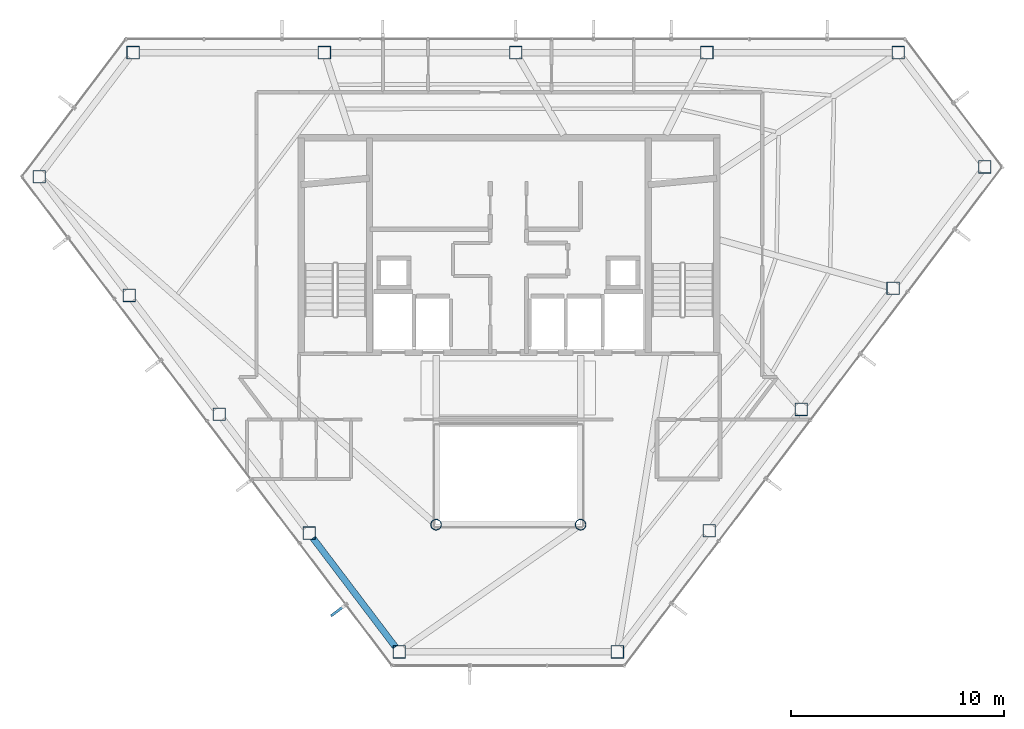
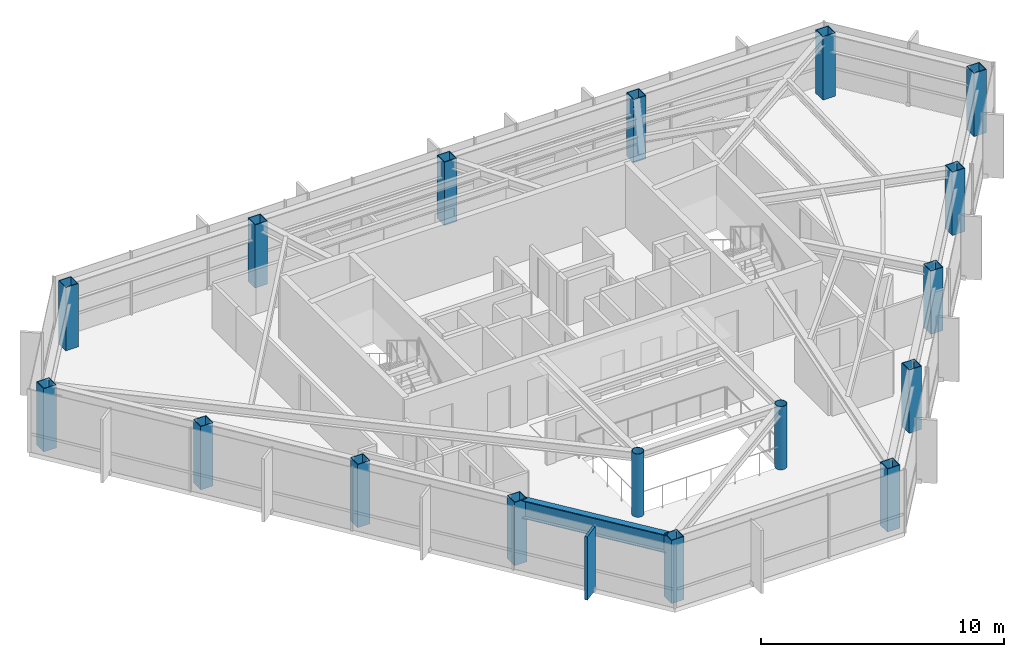
# One storey, part 1 of 25: 17 columns, 1 beam, 1 member, 1 element without a shape of its own.
"""IFC4 building model written with IfcOpenShell, lengths in metres."""

from ifc_helpers import new_model, si_unit, direction, frame, origin, origin_2d, place, context, subcontext, project, spatial, rectangle, hollow_rectangle, hollow_circle, i_section, extrude, material, layer, layer_set, material_profile, profile_set, type_object, element, aggregate, save


model = new_model("IFC4")

# Units and contexts
model_context = context("Model", 3, precision=1e-05, world=origin(), true_north=direction((0.0, 1.0)))
body_context = subcontext(model_context, "Body", "Model", "MODEL_VIEW")
ifc_project = project(units=[si_unit("LENGTHUNIT", "METRE"), si_unit("AREAUNIT", "SQUARE_METRE"), si_unit("VOLUMEUNIT", "CUBIC_METRE"), si_unit("PLANEANGLEUNIT", "RADIAN"), si_unit("MASSUNIT", "GRAM", prefix="KILO")], contexts=[model_context])

# Site, building, storey
site_placement = place(None, origin())
site = spatial("IfcSite", under=ifc_project, at=site_placement, CompositionType="ELEMENT")
building_placement = place(site_placement, origin())
building = spatial("IfcBuilding", under=site, at=building_placement, Name="Zarrinselat Tower", CompositionType="ELEMENT")
storey_placement = place(building_placement, frame((0.0, 0.0, 239.360107421875)))
storey = spatial("IfcBuildingStorey", under=building, at=storey_placement, Name="L60", CompositionType="ELEMENT", Elevation=239.360107421875)

# Columns
ifc_material_1 = material(Name="Steel S355J2", Category="steel")
ifc_material_profile_1 = material_profile(ifc_material_1, hollow_circle(Radius=0.25390625, WallThickness=0.02001953125, at=origin_2d()), Name="CHS 508x20")
ifc_profile_set_1 = profile_set([ifc_material_profile_1], Name="Steel S355J2")
column_type_1 = type_object("IfcColumnType", Name="COL-CHS508", PredefinedType="COLUMN", material=ifc_profile_set_1)
for number, where, z_axis, x_axis, name in (
    (1, (35.0, 25.199951171875, 0.0), (0.0, 0.0, 1.0), (1.0, 0.0, 0.0), "L60 Atrium Corner Column 1"),
    (2, (41.800048828125, 25.199951171875, 0.0), (0.0, 0.0, 1.0), (1.0, 0.0, 0.0), "L60 Atrium Corner Column 2"),
):
    element("IfcColumn", number, at=place(storey_placement, frame(where, z_axis=z_axis, x_axis=x_axis)), inside=storey, type_object=column_type_1, Name=name, PredefinedType="COLUMN", context=body_context, shape_type="SweptSolid", body=[
        extrude(hollow_circle(Radius=0.25390625, WallThickness=0.02001953125, at=origin_2d()), origin(), (0.0, 0.0, 1.0), 3.179931640625),
    ])
ifc_material_2 = material(Name="Steel S355J2", Category="steel")
ifc_material_profile_2 = material_profile(ifc_material_2, hollow_rectangle(XDim=0.60009765625, YDim=0.60009765625, WallThickness=0.030029296875, at=origin_2d()), Name="SHS 600x600x30")
ifc_profile_set_2 = profile_set([ifc_material_profile_2], Name="Steel S355J2")
column_type_2 = type_object("IfcColumnType", Name="COL-SHS600", PredefinedType="COLUMN", material=ifc_profile_set_2)
for number, where, z_axis, x_axis, name in (
    (3, (56.74560546875, 47.4111328125, 0.0), (0.0, 0.0, 1.0), (1.0, 0.0, 0.0), "L60 Framed-Tube Column T01"),
    (4, (47.7451171875, 47.4111328125, 0.0), (0.0, 0.0, 1.0), (1.0, 0.0, 0.0), "L60 Framed-Tube Column T02"),
    (5, (38.744873046875, 47.4111328125, 0.0), (0.0, 0.0, 1.0), (1.0, 0.0, 0.0), "L60 Framed-Tube Column T03"),
    (6, (29.744384765625, 47.4111328125, 0.0), (0.0, 0.0, 1.0), (1.0, 0.0, 0.0), "L60 Framed-Tube Column T04"),
    (7, (20.743896484375, 47.4111328125, 0.0), (0.0, 0.0, 1.0), (1.0, 0.0, 0.0), "L60 Framed-Tube Column T05"),
    (8, (16.3232421875, 41.57568359375, 0.0), (0.0, 0.0, 1.0), (1.0, 0.0, 0.0), "L60 Framed-Tube Column T06"),
    (9, (20.55859375, 35.98486328125, 0.0), (0.0, 0.0, 1.0), (1.0, 0.0, 0.0), "L60 Framed-Tube Column T07"),
    (10, (24.7939453125, 30.394287109375, 0.0), (0.0, 0.0, 1.0), (1.0, 0.0, 0.0), "L60 Framed-Tube Column T08"),
    (11, (29.029296875, 24.803466796875, 0.0), (0.0, 0.0, 1.0), (1.0, 0.0, 0.0), "L60 Framed-Tube Column T09"),
    (12, (33.264892578125, 19.212646484375, 0.0), (0.0, 0.0, 1.0), (1.0, 0.0, 0.0), "L60 Framed-Tube Column T10"),
    (13, (43.53515625, 19.212646484375, 0.0), (0.0, 0.0, 1.0), (1.0, 0.0, 0.0), "L60 Framed-Tube Column T11"),
    (14, (47.856689453125, 24.917236328125, 0.0), (0.0, 0.0, 1.0), (1.0, 0.0, 0.0), "L60 Framed-Tube Column T12"),
    (15, (52.178466796875, 30.62158203125, 0.0), (0.0, 0.0, 1.0), (1.0, 0.0, 0.0), "L60 Framed-Tube Column T13"),
    (16, (56.5, 36.326416015625, 0.0), (0.0, 0.0, 1.0), (1.0, 0.0, 0.0), "L60 Framed-Tube Column T14"),
    (17, (60.821533203125, 42.03076171875, 0.0), (0.0, 0.0, 1.0), (1.0, 0.0, 0.0), "L60 Framed-Tube Column T15"),
):
    element("IfcColumn", number, at=place(storey_placement, frame(where, z_axis=z_axis, x_axis=x_axis)), inside=storey, type_object=column_type_2, Name=name, PredefinedType="COLUMN", context=body_context, shape_type="SweptSolid", body=[
        extrude(hollow_rectangle(XDim=0.60009765625, YDim=0.60009765625, WallThickness=0.030029296875, at=origin_2d()), origin(), (0.0, 0.0, 1.0), 3.179931640625),
    ])

# Beam
ifc_material_3 = material(Name="Steel S460M", Category="steel")
ifc_material_profile_3 = material_profile(ifc_material_3, i_section(OverallWidth=0.302001953125, OverallDepth=0.909912109375, WebThickness=0.02099609375, FlangeThickness=0.0400390625, at=origin_2d()), Name="HEM 900")
ifc_profile_set_3 = profile_set([ifc_material_profile_3], Name="Steel S460M")
beam_type = type_object("IfcBeamType", Name="BM-HEM900", PredefinedType="BEAM", material=ifc_profile_set_3)
beam_placement = place(storey_placement, frame((29.203369140625, 24.573974609375, 2.724853515625), z_axis=(0.603846005737, -0.797100998215, 0.0), x_axis=(0.797100998215, 0.603846005737, 0.0)))
element("IfcBeam", 18, at=beam_placement, inside=storey, type_object=beam_type, Name="L60 Perimeter Spandrel Girder SP09", PredefinedType="BEAM", context=body_context, shape_type="SweptSolid", body=[
    extrude(i_section(OverallWidth=0.302001953125, OverallDepth=0.909912109375, WebThickness=0.02099609375, FlangeThickness=0.0400390625, at=origin_2d()), origin(), (0.0, 0.0, 1.0), 6.437744140625),
])

# Curtain wall, member
ifc_material_4 = material(Name="Extruded Aluminium Alloy EN AW-6063 T6", Category="aluminium")
ifc_layer = layer(ifc_material_4, 0.169921875)
ifc_layer_set = layer_set([ifc_layer], Name="Extruded Aluminium Alloy EN AW-6063 T6")
curtain_wall_type = type_object("IfcCurtainWallType", Name="CWS-RES", PredefinedType="NOTDEFINED", material=ifc_layer_set)
curtain_wall_placement = place(storey_placement, origin())
curtain_wall = element("IfcCurtainWall", 19, at=curtain_wall_placement, inside=storey, type_object=curtain_wall_type, Name="L60 Unitised Curtain Wall CW-L60-E03", PredefinedType="NOTDEFINED")
ifc_material_5 = material(Name="Honed Cream Travertine Stone", Category="masonry")
ifc_material_profile_4 = material_profile(ifc_material_5, rectangle(XDim=0.1201171875, YDim=0.85009765625, at=origin_2d()), Name="FIN 850x120")
ifc_profile_set_4 = profile_set([ifc_material_profile_4], Name="Honed Cream Travertine Stone")
member_type = type_object("IfcMemberType", Name="MEM-STONE-FIN", PredefinedType="USERDEFINED", material=ifc_profile_set_4)
member_placement = place(storey_placement, frame((30.395751953125, 21.16162109375, 0.0), z_axis=(0.0, 0.0, 1.0), x_axis=(-0.603857888062, 0.797091996588, 0.0)))
member = element("IfcMember", 20, at=member_placement, type_object=member_type, Name="L60 Stone Shading Fin CW-L60-E03-07", ObjectType="FIN", PredefinedType="USERDEFINED", context=body_context, shape_type="SweptSolid", body=[
    extrude(rectangle(XDim=0.1201171875, YDim=0.85009765625, at=origin_2d()), origin(), (0.0, 0.0, 1.0), 3.179931640625),
])
aggregate(curtain_wall, [member])

save(model, "model.ifc")
